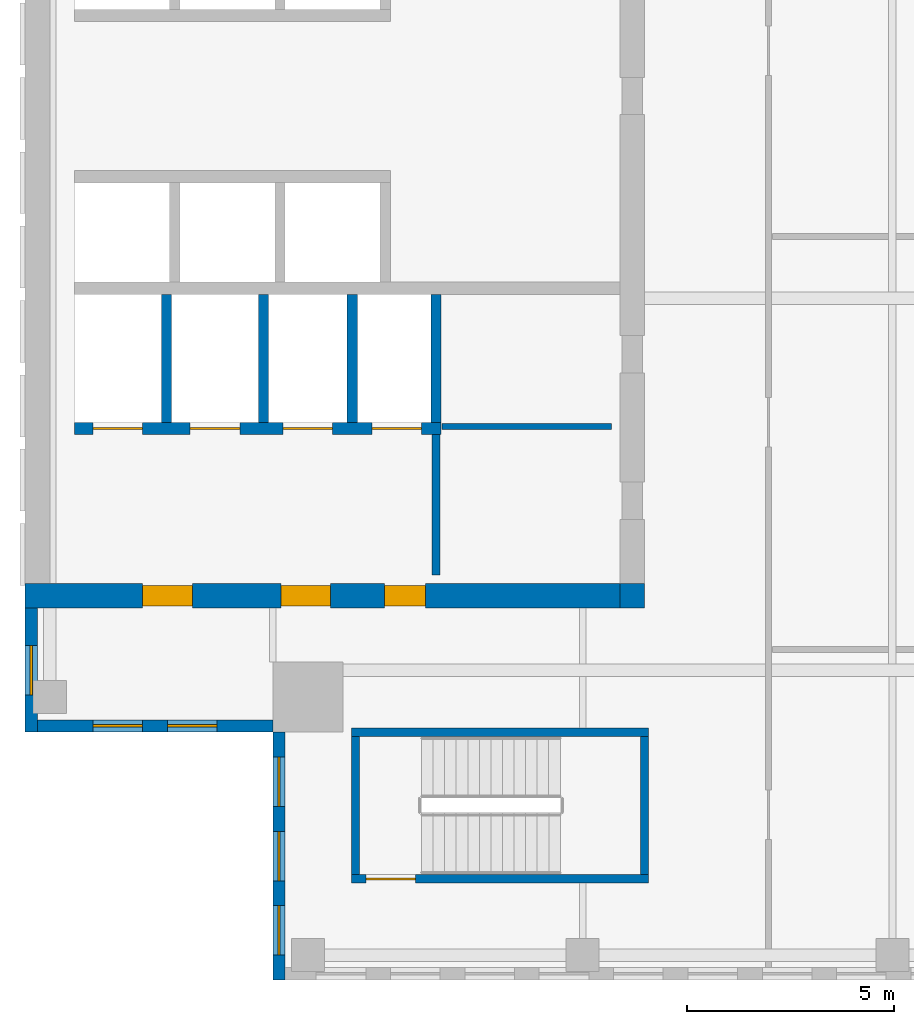
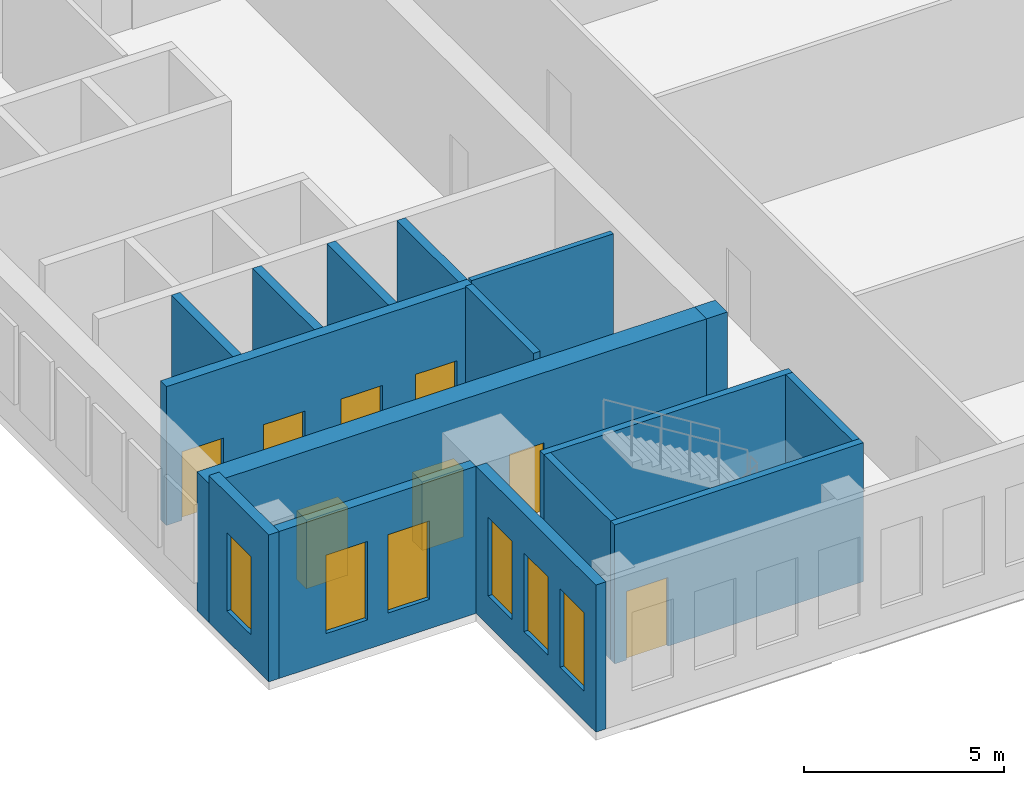
# One storey, part 2 of 6: 16 walls, 8 doors, 6 windows, 14 openings.
"""IFC4 building model written with IfcOpenShell, lengths in metres."""

from ifc_helpers import new_model, si_unit, direction, frame, frame_2d, origin, place, context, subcontext, project, spatial, rectangle, extrude, source, transform, mapped, material, layer, layer_set, type_object, element, fill, save


model = new_model("IFC4")

# Units and contexts
model_context = context("Model", 3, precision=1e-05, world=origin(), true_north=direction((0.0, 1.0)))
body_context = subcontext(model_context, "Body", "Model", "MODEL_VIEW")
ifc_project = project(units=[si_unit("LENGTHUNIT", "METRE"), si_unit("AREAUNIT", "SQUARE_METRE"), si_unit("VOLUMEUNIT", "CUBIC_METRE"), si_unit("PLANEANGLEUNIT", "RADIAN"), si_unit("MASSUNIT", "GRAM", prefix="KILO")], contexts=[model_context])

# Site, building, storey
site_placement = place(None, origin())
site = spatial("IfcSite", under=ifc_project, at=site_placement, CompositionType="ELEMENT")
building_placement = place(site_placement, origin())
building = spatial("IfcBuilding", under=site, at=building_placement, Name="Khomas Fold Tower", CompositionType="ELEMENT")
storey_placement = place(building_placement, frame((0.0, 0.0, 330.199951171875)))
storey = spatial("IfcBuildingStorey", under=building, at=storey_placement, Name="C1", CompositionType="ELEMENT", Elevation=330.199951171875)

# Wall, openings, doors
ifc_material_1 = material(Name="Concrete C50/60", Category="concrete")
ifc_layer_1 = layer(ifc_material_1, 0.60009765625)
ifc_layer_set_1 = layer_set([ifc_layer_1], Name="Concrete C50/60")
wall_type_1 = type_object("IfcWallType", Name="Core wall 600", PredefinedType="SHEAR", material=ifc_layer_set_1)
shared_shape_1 = source(origin(), body_context, "Body", "SweptSolid", [
    extrude(rectangle(XDim=14.39990234375, YDim=0.60009765625, at=frame_2d((7.199951171875, 0.0))), origin(), (0.0, 0.0, 1.0), 4.25),
])
wall_1_placement = place(storey_placement, frame((6.0, 15.300048828125, 0.0), z_axis=(0.0, 0.0, 1.0), x_axis=(1.0, 0.0, 0.0)))
wall_1 = element("IfcWall", 1, at=wall_1_placement, inside=storey, type_object=wall_type_1, Name="Core wall CW-U-S-L63", PredefinedType="SHEAR", context=body_context, shape_type="MappedRepresentation", body=[
    mapped(shared_shape_1, transform((0.0, 0.0, 0.0))),
])
shared_shape_2 = source(origin(), body_context, "Body", "SweptSolid", [
    extrude(rectangle(XDim=1.199951171875, YDim=2.10009765625, at=frame_2d((0.60009765625, 1.050048828125))), frame((0.0, 0.31005859375, 0.0), z_axis=(0.0, -1.0, 0.0), x_axis=(1.0, 0.0, 0.0)), (0.0, 0.0, 1.0), 0.6201171875),
])
opening_1_placement = place(wall_1_placement, frame((6.199951171875, 0.0, 0.0)))
opening_1 = element("IfcOpeningElement", 2, at=opening_1_placement, cuts=wall_1, Name="Opening 0009", PredefinedType="OPENING", context=body_context, shape_type="MappedRepresentation", body=[
    mapped(shared_shape_2, transform((0.0, 0.0, 0.0))),
])
opening_2_placement = place(wall_1_placement, frame((2.85009765625, 0.0, 0.0)))
opening_2 = element("IfcOpeningElement", 3, at=opening_2_placement, cuts=wall_1, Name="Opening 0009", PredefinedType="OPENING", context=body_context, shape_type="MappedRepresentation", body=[
    mapped(shared_shape_2, transform((0.0, 0.0, 0.0))),
])
shared_shape_3 = source(origin(), body_context, "Body", "SweptSolid", [
    extrude(rectangle(XDim=1.0, YDim=2.10009765625, at=frame_2d((0.5, 1.050048828125))), frame((0.0, 0.31005859375, 0.0), z_axis=(0.0, -1.0, 0.0), x_axis=(1.0, 0.0, 0.0)), (0.0, 0.0, 1.0), 0.6201171875),
])
opening_3_placement = place(wall_1_placement, frame((8.699951171875, 0.0, 0.0)))
opening_3 = element("IfcOpeningElement", 4, at=opening_3_placement, cuts=wall_1, Name="Opening 0010", PredefinedType="OPENING", context=body_context, shape_type="MappedRepresentation", body=[
    mapped(shared_shape_3, transform((0.0, 0.0, 0.0))),
])
ifc_material_2 = material(Name="Steel door leaf", Category="steel")
door_type_1 = type_object("IfcDoorType", Name="Stair door 1000x2100 right-hand", OperationType="SINGLE_SWING_RIGHT", PredefinedType="DOOR", material=ifc_material_2)
shared_shape_4 = source(origin(), body_context, "Body", "SweptSolid", [
    extrude(rectangle(XDim=1.0, YDim=2.10009765625, at=frame_2d((0.5, 1.050048828125))), frame((0.0, 0.25, 0.0), z_axis=(0.0, -1.0, 0.0), x_axis=(1.0, 0.0, 0.0)), (0.0, 0.0, 1.0), 0.5),
])
door_1_placement = place(opening_3_placement, origin())
door_1 = element("IfcDoor", 5, at=door_1_placement, inside=storey, type_object=door_type_1, Name="Stair door", OperationType="SINGLE_SWING_RIGHT", OverallHeight=2.10009765625, OverallWidth=1.0, PredefinedType="DOOR", context=body_context, shape_type="MappedRepresentation", body=[
    mapped(shared_shape_4, transform((0.0, 0.0, 0.0))),
])
fill(opening_3, door_1)
ifc_material_3 = material(Name="Steel door leaf", Category="steel")
door_type_2 = type_object("IfcDoorType", Name="Lobby door 1200x2100 right-hand", OperationType="SINGLE_SWING_RIGHT", PredefinedType="DOOR", material=ifc_material_3)
shared_shape_5 = source(origin(), body_context, "Body", "SweptSolid", [
    extrude(rectangle(XDim=1.199951171875, YDim=2.10009765625, at=frame_2d((0.60009765625, 1.050048828125))), frame((0.0, 0.25, 0.0), z_axis=(0.0, -1.0, 0.0), x_axis=(1.0, 0.0, 0.0)), (0.0, 0.0, 1.0), 0.5),
])
door_2_placement = place(opening_1_placement, origin())
door_2 = element("IfcDoor", 6, at=door_2_placement, inside=storey, type_object=door_type_2, Name="Lobby door", OperationType="SINGLE_SWING_RIGHT", OverallHeight=2.10009765625, OverallWidth=1.199951171875, PredefinedType="DOOR", context=body_context, shape_type="MappedRepresentation", body=[
    mapped(shared_shape_5, transform((0.0, 0.0, 0.0))),
])
fill(opening_1, door_2)
door_3_placement = place(opening_2_placement, origin())
door_3 = element("IfcDoor", 7, at=door_3_placement, inside=storey, type_object=door_type_2, Name="Lobby door", OperationType="SINGLE_SWING_RIGHT", OverallHeight=2.10009765625, OverallWidth=1.199951171875, PredefinedType="DOOR", context=body_context, shape_type="MappedRepresentation", body=[
    mapped(shared_shape_5, transform((0.0, 0.0, 0.0))),
])
fill(opening_2, door_3)

# Walls
ifc_material_4 = material(Name="Concrete C50/60", Category="concrete")
ifc_layer_2 = layer(ifc_material_4, 0.60009765625)
ifc_layer_set_2 = layer_set([ifc_layer_2], Name="Concrete C50/60")
wall_type_2 = type_object("IfcWallType", Name="Core corner wall 600", PredefinedType="SHEAR", material=ifc_layer_set_2)
shared_shape_6 = source(origin(), body_context, "Body", "SweptSolid", [
    extrude(rectangle(XDim=0.60009765625, YDim=0.60009765625, at=frame_2d((0.300048828125, 0.0))), origin(), (0.0, 0.0, 1.0), 4.25),
])
wall_2_placement = place(storey_placement, frame((20.39990234375, 15.300048828125, 0.0), z_axis=(0.0, 0.0, 1.0), x_axis=(1.0, 0.0, 0.0)))
element("IfcWall", 8, at=wall_2_placement, inside=storey, type_object=wall_type_2, Name="Core wall CW-U-SE-L63", PredefinedType="SHEAR", context=body_context, shape_type="MappedRepresentation", body=[
    mapped(shared_shape_6, transform((0.0, 0.0, 0.0))),
])
ifc_material_5 = material(Name="Concrete C50/60", Category="concrete")
ifc_layer_3 = layer(ifc_material_5, 0.199951171875)
ifc_layer_set_3 = layer_set([ifc_layer_3], Name="Concrete C50/60")
wall_type_3 = type_object("IfcWallType", Name="Stair wall 200", PredefinedType="SHEAR", material=ifc_layer_set_3)
shared_shape_7 = source(origin(), body_context, "Body", "SweptSolid", [
    extrude(rectangle(XDim=7.2001953125, YDim=0.199951171875, at=frame_2d((3.60009765625, 0.0))), origin(), (0.0, 0.0, 1.0), 4.25),
])
wall_3_placement = place(storey_placement, frame((13.89990234375, 12.0, 0.0), z_axis=(0.0, 0.0, 1.0), x_axis=(1.0, 0.0, 0.0)))
element("IfcWall", 9, at=wall_3_placement, inside=storey, type_object=wall_type_3, Name="Stair wall SW-ST2-NH", PredefinedType="SHEAR", context=body_context, shape_type="MappedRepresentation", body=[
    mapped(shared_shape_7, transform((0.0, 0.0, 0.0))),
])

# Wall, opening, door
wall_4_placement = place(storey_placement, frame((13.89990234375, 8.449951171875, 0.0), z_axis=(0.0, 0.0, 1.0), x_axis=(1.0, 0.0, 0.0)))
wall_4 = element("IfcWall", 10, at=wall_4_placement, inside=storey, type_object=wall_type_3, Name="Stair wall SW-ST2-S", PredefinedType="SHEAR", context=body_context, shape_type="MappedRepresentation", body=[
    mapped(shared_shape_7, transform((0.0, 0.0, 0.0))),
])
shared_shape_8 = source(origin(), body_context, "Body", "SweptSolid", [
    extrude(rectangle(XDim=1.199951171875, YDim=2.10009765625, at=frame_2d((0.60009765625, 1.050048828125))), frame((0.0, 0.10986328125, 0.0), z_axis=(0.0, -1.0, 0.0), x_axis=(1.0, 0.0, 0.0)), (0.0, 0.0, 1.0), 0.219970703125),
])
opening_4_placement = place(wall_4_placement, frame((0.35009765625, 0.0, 0.0)))
opening_4 = element("IfcOpeningElement", 11, at=opening_4_placement, cuts=wall_4, Name="Opening SD-ST2", PredefinedType="OPENING", context=body_context, shape_type="MappedRepresentation", body=[
    mapped(shared_shape_8, transform((0.0, 0.0, 0.0))),
])
ifc_material_6 = material(Name="Steel door leaf", Category="steel")
door_type_3 = type_object("IfcDoorType", Name="Stair door 1200x2100 right-hand", OperationType="SINGLE_SWING_RIGHT", PredefinedType="DOOR", material=ifc_material_6)
shared_shape_9 = source(origin(), body_context, "Body", "SweptSolid", [
    extrude(rectangle(XDim=1.199951171875, YDim=2.10009765625, at=frame_2d((0.60009765625, 1.050048828125))), frame((0.0, 0.02490234375, 0.0), z_axis=(0.0, -1.0, 0.0), x_axis=(1.0, 0.0, 0.0)), (0.0, 0.0, 1.0), 0.050048828125),
])
door_4_placement = place(opening_4_placement, origin())
door_4 = element("IfcDoor", 12, at=door_4_placement, inside=storey, type_object=door_type_3, Name="Stair door", OperationType="SINGLE_SWING_RIGHT", OverallHeight=2.10009765625, OverallWidth=1.199951171875, PredefinedType="DOOR", context=body_context, shape_type="MappedRepresentation", body=[
    mapped(shared_shape_9, transform((0.0, 0.0, 0.0))),
])
fill(opening_4, door_4)

# Walls
shared_shape_10 = source(origin(), body_context, "Body", "SweptSolid", [
    extrude(rectangle(XDim=3.349853515625, YDim=0.199951171875, at=frame_2d((1.6748046875, 0.0))), origin(), (0.0, 0.0, 1.0), 4.25),
])
for number, where, z_axis, x_axis, name in (
    (13, (21.0, 8.550048828125, 0.0), (0.0, 0.0, 1.0), (0.0, 1.0, 0.0), "Stair wall SW-ST2-E"),
    (14, (14.0, 8.550048828125, 0.0), (0.0, 0.0, 1.0), (0.0, 1.0, 0.0), "Stair wall SW-ST2-W"),
):
    element("IfcWall", number, at=place(storey_placement, frame(where, z_axis=z_axis, x_axis=x_axis)), inside=storey, type_object=wall_type_3, Name=name, PredefinedType="SHEAR", context=body_context, shape_type="MappedRepresentation", body=[
        mapped(shared_shape_10, transform((0.0, 0.0, 0.0))),
    ])

# Wall, openings, doors
ifc_material_7 = material(Name="Concrete C50/60", Category="concrete")
ifc_layer_4 = layer(ifc_material_7, 0.300048828125)
ifc_layer_set_4 = layer_set([ifc_layer_4], Name="Concrete C50/60")
wall_type_4 = type_object("IfcWallType", Name="Shaft wall 300", PredefinedType="STANDARD", material=ifc_layer_set_4)
shared_shape_11 = source(origin(), body_context, "Body", "SweptSolid", [
    extrude(rectangle(XDim=8.875, YDim=0.300048828125, at=frame_2d((4.4375, 0.0))), origin(), (0.0, 0.0, 1.0), 4.25),
])
wall_5_placement = place(storey_placement, frame((7.199951171875, 19.35009765625, 0.0), z_axis=(0.0, 0.0, 1.0), x_axis=(1.0, 0.0, 0.0)))
wall_5 = element("IfcWall", 15, at=wall_5_placement, inside=storey, type_object=wall_type_4, Name="Core wall SW-FS-F", PredefinedType="STANDARD", context=body_context, shape_type="MappedRepresentation", body=[
    mapped(shared_shape_11, transform((0.0, 0.0, 0.0))),
])
shared_shape_12 = source(origin(), body_context, "Body", "SweptSolid", [
    extrude(rectangle(XDim=1.199951171875, YDim=2.10009765625, at=frame_2d((0.60009765625, 1.050048828125))), frame((0.0, 0.159912109375, 0.0), z_axis=(0.0, -1.0, 0.0), x_axis=(1.0, 0.0, 0.0)), (0.0, 0.0, 1.0), 0.320068359375),
])
opening_5_placement = place(wall_5_placement, frame((0.449951171875, 0.0, 0.0)))
opening_5 = element("IfcOpeningElement", 16, at=opening_5_placement, cuts=wall_5, Name="Opening LD-SV1", PredefinedType="OPENING", context=body_context, shape_type="MappedRepresentation", body=[
    mapped(shared_shape_12, transform((0.0, 0.0, 0.0))),
])
opening_6_placement = place(wall_5_placement, frame((2.800048828125, 0.0, 0.0)))
opening_6 = element("IfcOpeningElement", 17, at=opening_6_placement, cuts=wall_5, Name="Opening LD-SV2", PredefinedType="OPENING", context=body_context, shape_type="MappedRepresentation", body=[
    mapped(shared_shape_12, transform((0.0, 0.0, 0.0))),
])
opening_7_placement = place(wall_5_placement, frame((5.050048828125, 0.0, 0.0)))
opening_7 = element("IfcOpeningElement", 18, at=opening_7_placement, cuts=wall_5, Name="Opening LD-FF1", PredefinedType="OPENING", context=body_context, shape_type="MappedRepresentation", body=[
    mapped(shared_shape_12, transform((0.0, 0.0, 0.0))),
])
opening_8_placement = place(wall_5_placement, frame((7.199951171875, 0.0, 0.0)))
opening_8 = element("IfcOpeningElement", 19, at=opening_8_placement, cuts=wall_5, Name="Opening LD-FF2", PredefinedType="OPENING", context=body_context, shape_type="MappedRepresentation", body=[
    mapped(shared_shape_12, transform((0.0, 0.0, 0.0))),
])
ifc_material_8 = material(Name="Steel door leaf", Category="steel")
door_type_4 = type_object("IfcDoorType", Name="Landing door 1200x2100", OperationType="DOUBLE_DOOR_SLIDING", PredefinedType="DOOR", material=ifc_material_8)
door_5_placement = place(opening_5_placement, origin())
door_5 = element("IfcDoor", 20, at=door_5_placement, inside=storey, type_object=door_type_4, Name="Lift landing door", OperationType="DOUBLE_DOOR_SLIDING", OverallHeight=2.10009765625, OverallWidth=1.199951171875, PredefinedType="DOOR", context=body_context, shape_type="MappedRepresentation", body=[
    mapped(shared_shape_9, transform((0.0, 0.0, 0.0))),
])
fill(opening_5, door_5)
door_6_placement = place(opening_6_placement, origin())
door_6 = element("IfcDoor", 21, at=door_6_placement, inside=storey, type_object=door_type_4, Name="Lift landing door", OperationType="DOUBLE_DOOR_SLIDING", OverallHeight=2.10009765625, OverallWidth=1.199951171875, PredefinedType="DOOR", context=body_context, shape_type="MappedRepresentation", body=[
    mapped(shared_shape_9, transform((0.0, 0.0, 0.0))),
])
fill(opening_6, door_6)
door_7_placement = place(opening_7_placement, origin())
door_7 = element("IfcDoor", 22, at=door_7_placement, inside=storey, type_object=door_type_4, Name="Lift landing door", OperationType="DOUBLE_DOOR_SLIDING", OverallHeight=2.10009765625, OverallWidth=1.199951171875, PredefinedType="DOOR", context=body_context, shape_type="MappedRepresentation", body=[
    mapped(shared_shape_9, transform((0.0, 0.0, 0.0))),
])
fill(opening_7, door_7)
door_8_placement = place(opening_8_placement, origin())
door_8 = element("IfcDoor", 23, at=door_8_placement, inside=storey, type_object=door_type_4, Name="Lift landing door", OperationType="DOUBLE_DOOR_SLIDING", OverallHeight=2.10009765625, OverallWidth=1.199951171875, PredefinedType="DOOR", context=body_context, shape_type="MappedRepresentation", body=[
    mapped(shared_shape_9, transform((0.0, 0.0, 0.0))),
])
fill(opening_8, door_8)

# Walls
ifc_material_9 = material(Name="Concrete C50/60", Category="concrete")
ifc_layer_5 = layer(ifc_material_9, 0.25)
ifc_layer_set_5 = layer_set([ifc_layer_5], Name="Concrete C50/60")
wall_type_5 = type_object("IfcWallType", Name="Shaft wall 250", PredefinedType="STANDARD", material=ifc_layer_set_5)
shared_shape_13 = source(origin(), body_context, "Body", "SweptSolid", [
    extrude(rectangle(XDim=3.10009765625, YDim=0.25, at=frame_2d((1.550048828125, 0.0))), origin(), (0.0, 0.0, 1.0), 4.25),
])
for number, where, z_axis, x_axis, name in (
    (24, (9.425048828125, 19.5, 0.0), (0.0, 0.0, 1.0), (0.0, 1.0, 0.0), "Core wall SW-FS-P1"),
    (25, (11.77490234375, 19.5, 0.0), (0.0, 0.0, 1.0), (0.0, 1.0, 0.0), "Core wall SW-FS-P2"),
    (26, (13.925048828125, 19.5, 0.0), (0.0, 0.0, 1.0), (0.0, 1.0, 0.0), "Core wall SW-FS-P3"),
    (27, (15.949951171875, 19.5, 0.0), (0.0, 0.0, 1.0), (0.0, 1.0, 0.0), "Core wall SW-FS-PE"),
):
    element("IfcWall", number, at=place(storey_placement, frame(where, z_axis=z_axis, x_axis=x_axis)), inside=storey, type_object=wall_type_5, Name=name, PredefinedType="STANDARD", context=body_context, shape_type="MappedRepresentation", body=[
        mapped(shared_shape_13, transform((0.0, 0.0, 0.0))),
    ])

# Wall, openings, windows
ifc_material_10 = material(Name="Concrete C40/50", Category="concrete")
ifc_layer_6 = layer(ifc_material_10, 0.300048828125)
ifc_layer_set_6 = layer_set([ifc_layer_6], Name="Concrete C40/50")
wall_type_6 = type_object("IfcWallType", Name="Crown gable wall 300 CR-GW1", PredefinedType="SOLIDWALL", material=ifc_layer_set_6)
shared_shape_14 = source(origin(), body_context, "Body", "SweptSolid", [
    extrude(rectangle(XDim=5.699951171875, YDim=0.300048828125, at=frame_2d((2.85009765625, 0.0))), origin(), (0.0, 0.0, 1.0), 4.5),
])
wall_6_placement = place(storey_placement, frame((6.300048828125, 12.14990234375, 0.0), z_axis=(0.0, 0.0, 1.0), x_axis=(1.0, 0.0, 0.0)))
wall_6 = element("IfcWall", 28, at=wall_6_placement, inside=storey, type_object=wall_type_6, Name="Crown wall", PredefinedType="SOLIDWALL", context=body_context, shape_type="MappedRepresentation", body=[
    mapped(shared_shape_14, transform((0.0, 0.0, 0.0))),
])
shared_shape_15 = source(origin(), body_context, "Body", "SweptSolid", [
    extrude(rectangle(XDim=1.199951171875, YDim=2.39990234375, at=frame_2d((0.60009765625, 1.199951171875))), frame((0.0, 0.159912109375, 0.0), z_axis=(0.0, -1.0, 0.0), x_axis=(1.0, 0.0, 0.0)), (0.0, 0.0, 1.0), 0.320068359375),
])
opening_9_placement = place(wall_6_placement, frame((1.35009765625, 0.0, 0.89990234375)))
opening_9 = element("IfcOpeningElement", 29, at=opening_9_placement, cuts=wall_6, Name="Opening CR-LV", PredefinedType="OPENING", context=body_context, shape_type="MappedRepresentation", body=[
    mapped(shared_shape_15, transform((0.0, 0.0, 0.0))),
])
opening_10_placement = place(wall_6_placement, frame((3.14990234375, 0.0, 0.89990234375)))
opening_10 = element("IfcOpeningElement", 30, at=opening_10_placement, cuts=wall_6, Name="Opening CR-LV", PredefinedType="OPENING", context=body_context, shape_type="MappedRepresentation", body=[
    mapped(shared_shape_15, transform((0.0, 0.0, 0.0))),
])
ifc_material_11 = material(Name="Aluminium louvre", Category="aluminium")
window_type = type_object("IfcWindowType", Name="Crown plant louvre 1200 x 2400", PartitioningType="SINGLE_PANEL", PredefinedType="WINDOW", material=ifc_material_11)
shared_shape_16 = source(origin(), body_context, "Body", "SweptSolid", [
    extrude(rectangle(XDim=1.199951171875, YDim=2.39990234375, at=frame_2d((0.60009765625, 1.199951171875))), frame((0.0, 0.030029296875, 0.0), z_axis=(0.0, -1.0, 0.0), x_axis=(1.0, 0.0, 0.0)), (0.0, 0.0, 1.0), 0.06005859375),
])
window_1_placement = place(opening_9_placement, origin())
window_1 = element("IfcWindow", 31, at=window_1_placement, inside=storey, type_object=window_type, Name="Crown plant louvre", OverallHeight=2.39990234375, OverallWidth=1.199951171875, PartitioningType="SINGLE_PANEL", PredefinedType="WINDOW", context=body_context, shape_type="MappedRepresentation", body=[
    mapped(shared_shape_16, transform((0.0, 0.0, 0.0))),
])
fill(opening_9, window_1)
window_2_placement = place(opening_10_placement, origin())
window_2 = element("IfcWindow", 32, at=window_2_placement, inside=storey, type_object=window_type, Name="Crown plant louvre", OverallHeight=2.39990234375, OverallWidth=1.199951171875, PartitioningType="SINGLE_PANEL", PredefinedType="WINDOW", context=body_context, shape_type="MappedRepresentation", body=[
    mapped(shared_shape_16, transform((0.0, 0.0, 0.0))),
])
fill(opening_10, window_2)

shared_shape_17 = source(origin(), body_context, "Body", "SweptSolid", [
    extrude(rectangle(XDim=6.0, YDim=0.300048828125, at=frame_2d((3.0, 0.0))), origin(), (0.0, 0.0, 1.0), 4.5),
])
wall_7_placement = place(storey_placement, frame((12.14990234375, 12.0, 0.0), z_axis=(0.0, 0.0, 1.0), x_axis=(0.0, -1.0, 0.0)))
wall_7 = element("IfcWall", 33, at=wall_7_placement, inside=storey, type_object=wall_type_6, Name="Crown wall", PredefinedType="SOLIDWALL", context=body_context, shape_type="MappedRepresentation", body=[
    mapped(shared_shape_17, transform((0.0, 0.0, 0.0))),
])
opening_11_placement = place(wall_7_placement, frame((0.60009765625, 0.0, 0.89990234375)))
opening_11 = element("IfcOpeningElement", 34, at=opening_11_placement, cuts=wall_7, Name="Opening CR-LV", PredefinedType="OPENING", context=body_context, shape_type="MappedRepresentation", body=[
    mapped(shared_shape_15, transform((0.0, 0.0, 0.0))),
])
opening_12_placement = place(wall_7_placement, frame((2.39990234375, 0.0, 0.89990234375)))
opening_12 = element("IfcOpeningElement", 35, at=opening_12_placement, cuts=wall_7, Name="Opening CR-LV", PredefinedType="OPENING", context=body_context, shape_type="MappedRepresentation", body=[
    mapped(shared_shape_15, transform((0.0, 0.0, 0.0))),
])
opening_13_placement = place(wall_7_placement, frame((4.199951171875, 0.0, 0.89990234375)))
opening_13 = element("IfcOpeningElement", 36, at=opening_13_placement, cuts=wall_7, Name="Opening CR-LV", PredefinedType="OPENING", context=body_context, shape_type="MappedRepresentation", body=[
    mapped(shared_shape_15, transform((0.0, 0.0, 0.0))),
])
window_3_placement = place(opening_11_placement, origin())
window_3 = element("IfcWindow", 37, at=window_3_placement, inside=storey, type_object=window_type, Name="Crown plant louvre", OverallHeight=2.39990234375, OverallWidth=1.199951171875, PartitioningType="SINGLE_PANEL", PredefinedType="WINDOW", context=body_context, shape_type="MappedRepresentation", body=[
    mapped(shared_shape_16, transform((0.0, 0.0, 0.0))),
])
fill(opening_11, window_3)
window_4_placement = place(opening_12_placement, origin())
window_4 = element("IfcWindow", 38, at=window_4_placement, inside=storey, type_object=window_type, Name="Crown plant louvre", OverallHeight=2.39990234375, OverallWidth=1.199951171875, PartitioningType="SINGLE_PANEL", PredefinedType="WINDOW", context=body_context, shape_type="MappedRepresentation", body=[
    mapped(shared_shape_16, transform((0.0, 0.0, 0.0))),
])
fill(opening_12, window_4)
window_5_placement = place(opening_13_placement, origin())
window_5 = element("IfcWindow", 39, at=window_5_placement, inside=storey, type_object=window_type, Name="Crown plant louvre", OverallHeight=2.39990234375, OverallWidth=1.199951171875, PartitioningType="SINGLE_PANEL", PredefinedType="WINDOW", context=body_context, shape_type="MappedRepresentation", body=[
    mapped(shared_shape_16, transform((0.0, 0.0, 0.0))),
])
fill(opening_13, window_5)

# Wall, opening, window
shared_shape_18 = source(origin(), body_context, "Body", "SweptSolid", [
    extrude(rectangle(XDim=3.0, YDim=0.300048828125, at=frame_2d((1.5, 0.0))), origin(), (0.0, 0.0, 1.0), 4.5),
])
wall_8_placement = place(storey_placement, frame((6.14990234375, 15.0, 0.0), z_axis=(0.0, 0.0, 1.0), x_axis=(0.0, -1.0, 0.0)))
wall_8 = element("IfcWall", 40, at=wall_8_placement, inside=storey, type_object=wall_type_6, Name="Crown wall", PredefinedType="SOLIDWALL", context=body_context, shape_type="MappedRepresentation", body=[
    mapped(shared_shape_18, transform((0.0, 0.0, 0.0))),
])
opening_14_placement = place(wall_8_placement, frame((0.89990234375, 0.0, 0.89990234375)))
opening_14 = element("IfcOpeningElement", 41, at=opening_14_placement, cuts=wall_8, Name="Opening CR-LV", PredefinedType="OPENING", context=body_context, shape_type="MappedRepresentation", body=[
    mapped(shared_shape_15, transform((0.0, 0.0, 0.0))),
])
window_6_placement = place(opening_14_placement, origin())
window_6 = element("IfcWindow", 42, at=window_6_placement, inside=storey, type_object=window_type, Name="Crown plant louvre", OverallHeight=2.39990234375, OverallWidth=1.199951171875, PartitioningType="SINGLE_PANEL", PredefinedType="WINDOW", context=body_context, shape_type="MappedRepresentation", body=[
    mapped(shared_shape_16, transform((0.0, 0.0, 0.0))),
])
fill(opening_14, window_6)

# Walls
ifc_material_12 = material(Name="Concrete C30/37", Category="concrete")
ifc_layer_7 = layer(ifc_material_12, 0.199951171875)
ifc_layer_set_7 = layer_set([ifc_layer_7], Name="Concrete C30/37")
wall_type_7 = type_object("IfcWallType", Name="Lobby wall PW4 200", PredefinedType="PARTITIONING", material=ifc_layer_set_7)
shared_shape_19 = source(origin(), body_context, "Body", "SweptSolid", [
    extrude(rectangle(XDim=3.39990234375, YDim=0.199951171875, at=frame_2d((1.699951171875, 0.0))), origin(), (0.0, 0.0, 1.0), 4.300048828125),
])
wall_9_placement = place(storey_placement, frame((15.949951171875, 15.800048828125, 0.0), z_axis=(0.0, 0.0, 1.0), x_axis=(0.0, 1.0, 0.0)))
element("IfcWall", 43, at=wall_9_placement, inside=storey, type_object=wall_type_7, Name="Lobby wall", PredefinedType="PARTITIONING", context=body_context, shape_type="MappedRepresentation", body=[
    mapped(shared_shape_19, transform((0.0, 0.0, 0.0))),
])
ifc_material_13 = material(Name="Plasterboard fire partition")
ifc_layer_8 = layer(ifc_material_13, 0.14990234375)
ifc_layer_set_8 = layer_set([ifc_layer_8], Name="Plasterboard fire partition")
wall_type_8 = type_object("IfcWallType", Name="Plant room wall PW3 150", PredefinedType="PARTITIONING", material=ifc_layer_set_8)
shared_shape_20 = source(origin(), body_context, "Body", "SweptSolid", [
    extrude(rectangle(XDim=4.099853515625, YDim=0.14990234375, at=frame_2d((2.0498046875, 0.0))), origin(), (0.0, 0.0, 1.0), 4.300048828125),
])
wall_10_placement = place(storey_placement, frame((16.10009765625, 19.39990234375, 0.0), z_axis=(0.0, 0.0, 1.0), x_axis=(1.0, 0.0, 0.0)))
element("IfcWall", 44, at=wall_10_placement, inside=storey, type_object=wall_type_8, Name="Plant room wall", PredefinedType="PARTITIONING", context=body_context, shape_type="MappedRepresentation", body=[
    mapped(shared_shape_20, transform((0.0, 0.0, 0.0))),
])

save(model, "model.ifc")
